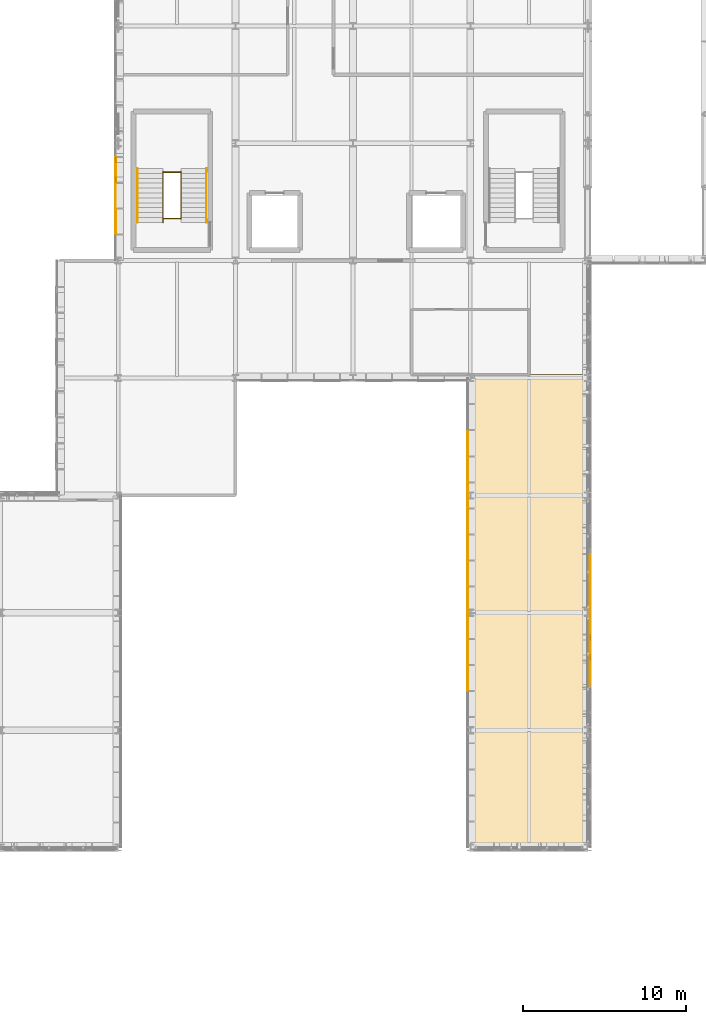
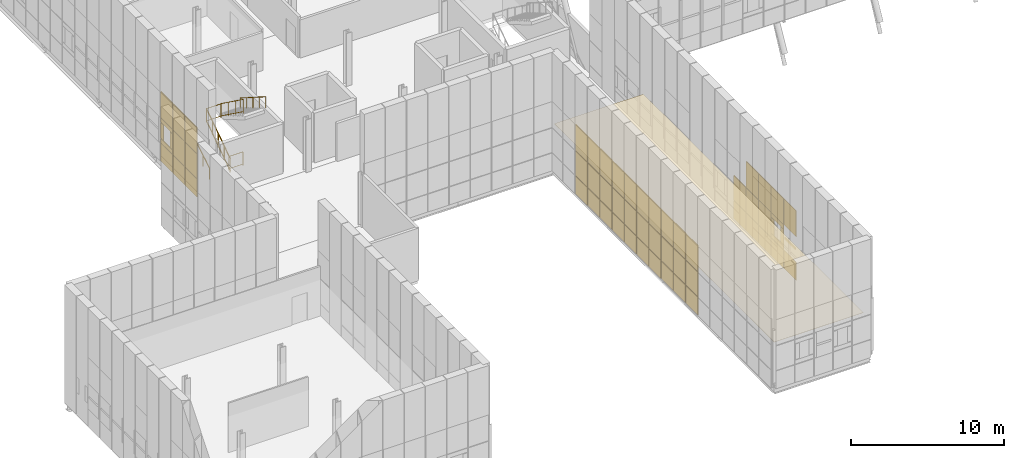
# One storey, part 130 of 144: 60 coverings, 6 railings.
"""IFC4 building model written with IfcOpenShell, lengths in metres."""

from ifc_helpers import new_model, si_unit, direction, frame, origin, origin_2d, place, context, subcontext, project, spatial, polyline, rectangle, circle, outline, extrude, material, layer, layer_set, type_object, element, save


model = new_model("IFC4")

# Units and contexts
model_context = context("Model", 3, precision=1e-05, world=origin(), true_north=direction((0.0, 1.0)))
body_context = subcontext(model_context, "Body", "Model", "MODEL_VIEW")
ifc_project = project(units=[si_unit("LENGTHUNIT", "METRE"), si_unit("AREAUNIT", "SQUARE_METRE"), si_unit("VOLUMEUNIT", "CUBIC_METRE"), si_unit("PLANEANGLEUNIT", "RADIAN"), si_unit("MASSUNIT", "GRAM", prefix="KILO")], contexts=[model_context])

# Site, building, storey
site_placement = place(None, origin())
site = spatial("IfcSite", under=ifc_project, at=site_placement, CompositionType="ELEMENT")
building_placement = place(site_placement, origin())
building = spatial("IfcBuilding", under=site, at=building_placement, Name="Yarey Park Central Fire Station", CompositionType="ELEMENT")
storey_placement = place(building_placement, frame((0.0, 0.0, 10.199951171875)))
storey = spatial("IfcBuildingStorey", under=building, at=storey_placement, Name="L03", CompositionType="ELEMENT", Elevation=10.199951171875)

# Coverings
ifc_material_1 = material(Name="Perforated Powder-Coated Aluminium Cladding", Category="aluminium")
ifc_layer_1 = layer(ifc_material_1, 0.0419921875)
ifc_layer_set_1 = layer_set([ifc_layer_1], Name="Perforated Powder-Coated Aluminium Cladding")
covering_type_1 = type_object("IfcCoveringType", Name="ENV_COV_PERF_1", PredefinedType="CLADDING", material=ifc_layer_set_1)
covering_1_placement = place(storey_placement, frame((57.760009765625, 32.236328125, -0.5048828125), z_axis=(0.0, 0.0, 1.0), x_axis=(0.0, 1.0, 0.0)))
element("IfcCovering", 1, at=covering_1_placement, inside=storey, type_object=covering_type_1, Name="PERF_L03_0352", PredefinedType="CLADDING", context=body_context, shape_type="SweptSolid", body=[
    extrude(rectangle(XDim=1.596435546875, YDim=0.0419921875, at=origin_2d()), origin(), (0.0, 0.0, 1.0), 1.43994140625),
])
covering_2_placement = place(storey_placement, frame((57.760009765625, 32.236328125, 1.8701171875), z_axis=(0.0, 0.0, 1.0), x_axis=(0.0, 1.0, 0.0)))
element("IfcCovering", 2, at=covering_2_placement, inside=storey, type_object=covering_type_1, Name="PERF_L03_0354", PredefinedType="CLADDING", context=body_context, shape_type="SweptSolid", body=[
    extrude(rectangle(XDim=1.396484375, YDim=0.0419921875, at=origin_2d()), origin(), (0.0, 0.0, 1.0), 0.159912109375),
])
covering_3_placement = place(storey_placement, frame((57.760009765625, 32.236328125, 2.96484375), z_axis=(0.0, 0.0, 1.0), x_axis=(0.0, 1.0, 0.0)))
element("IfcCovering", 3, at=covering_3_placement, inside=storey, type_object=covering_type_1, Name="PERF_L03_0355", PredefinedType="CLADDING", context=body_context, shape_type="SweptSolid", body=[
    extrude(rectangle(XDim=1.596435546875, YDim=0.0419921875, at=origin_2d()), origin(), (0.0, 0.0, 1.0), 2.070068359375),
])
covering_4_placement = place(storey_placement, frame((57.760009765625, 35.509033203125, -0.5048828125), z_axis=(0.0, 0.0, 1.0), x_axis=(0.0, 1.0, 0.0)))
element("IfcCovering", 4, at=covering_4_placement, inside=storey, type_object=covering_type_1, Name="PERF_L03_0370", PredefinedType="CLADDING", context=body_context, shape_type="SweptSolid", body=[
    extrude(rectangle(XDim=1.596435546875, YDim=0.0419921875, at=origin_2d()), origin(), (0.0, 0.0, 1.0), 1.43994140625),
])
covering_5_placement = place(storey_placement, frame((57.760009765625, 35.509033203125, 0.96484375), z_axis=(0.0, 0.0, 1.0), x_axis=(0.0, 1.0, 0.0)))
element("IfcCovering", 5, at=covering_5_placement, inside=storey, type_object=covering_type_1, Name="PERF_L03_0371", PredefinedType="CLADDING", context=body_context, shape_type="SweptSolid", body=[
    extrude(rectangle(XDim=1.596435546875, YDim=0.0419921875, at=origin_2d()), origin(), (0.0, 0.0, 1.0), 1.969970703125),
])
covering_6_placement = place(storey_placement, frame((57.760009765625, 35.509033203125, 2.96484375), z_axis=(0.0, 0.0, 1.0), x_axis=(0.0, 1.0, 0.0)))
element("IfcCovering", 6, at=covering_6_placement, inside=storey, type_object=covering_type_1, Name="PERF_L03_0372", PredefinedType="CLADDING", context=body_context, shape_type="SweptSolid", body=[
    extrude(rectangle(XDim=1.596435546875, YDim=0.0419921875, at=origin_2d()), origin(), (0.0, 0.0, 1.0), 2.070068359375),
])
covering_7_placement = place(storey_placement, frame((57.760009765625, 38.78173828125, -0.5048828125), z_axis=(0.0, 0.0, 1.0), x_axis=(0.0, 1.0, 0.0)))
element("IfcCovering", 7, at=covering_7_placement, inside=storey, type_object=covering_type_1, Name="PERF_L03_0380", PredefinedType="CLADDING", context=body_context, shape_type="SweptSolid", body=[
    extrude(rectangle(XDim=1.596435546875, YDim=0.0419921875, at=origin_2d()), origin(), (0.0, 0.0, 1.0), 1.43994140625),
])
covering_8_placement = place(storey_placement, frame((57.760009765625, 38.78173828125, 0.96484375), z_axis=(0.0, 0.0, 1.0), x_axis=(0.0, 1.0, 0.0)))
element("IfcCovering", 8, at=covering_8_placement, inside=storey, type_object=covering_type_1, Name="PERF_L03_0381", PredefinedType="CLADDING", context=body_context, shape_type="SweptSolid", body=[
    extrude(rectangle(XDim=1.596435546875, YDim=0.0419921875, at=origin_2d()), origin(), (0.0, 0.0, 1.0), 1.969970703125),
])
covering_9_placement = place(storey_placement, frame((28.639892578125, 61.580810546875, -0.5048828125), z_axis=(0.0, 0.0, 1.0), x_axis=(0.0, 1.0, 0.0)))
element("IfcCovering", 9, at=covering_9_placement, inside=storey, type_object=covering_type_1, Name="PERF_L03_0611", PredefinedType="CLADDING", context=body_context, shape_type="SweptSolid", body=[
    extrude(rectangle(XDim=1.55224609375, YDim=0.0419921875, at=origin_2d()), origin(), (0.0, 0.0, 1.0), 1.43994140625),
])
covering_10_placement = place(storey_placement, frame((28.639892578125, 61.580810546875, 0.96484375), z_axis=(0.0, 0.0, 1.0), x_axis=(0.0, 1.0, 0.0)))
element("IfcCovering", 10, at=covering_10_placement, inside=storey, type_object=covering_type_1, Name="PERF_L03_0612", PredefinedType="CLADDING", context=body_context, shape_type="SweptSolid", body=[
    extrude(rectangle(XDim=1.55224609375, YDim=0.0419921875, at=origin_2d()), origin(), (0.0, 0.0, 1.0), 1.969970703125),
])
covering_11_placement = place(storey_placement, frame((28.639892578125, 61.580810546875, 2.96484375), z_axis=(0.0, 0.0, 1.0), x_axis=(0.0, 1.0, 0.0)))
element("IfcCovering", 11, at=covering_11_placement, inside=storey, type_object=covering_type_1, Name="PERF_L03_0613", PredefinedType="CLADDING", context=body_context, shape_type="SweptSolid", body=[
    extrude(rectangle(XDim=1.55224609375, YDim=0.0419921875, at=origin_2d()), origin(), (0.0, 0.0, 1.0), 2.070068359375),
])
covering_12_placement = place(storey_placement, frame((50.239990234375, 32.0, -0.5048828125), z_axis=(0.0, 0.0, 1.0), x_axis=(0.0, 1.0, 0.0)))
element("IfcCovering", 12, at=covering_12_placement, inside=storey, type_object=covering_type_1, Name="PERF_L03_1017", PredefinedType="CLADDING", context=body_context, shape_type="SweptSolid", body=[
    extrude(rectangle(XDim=1.56005859375, YDim=0.0419921875, at=origin_2d()), origin(), (0.0, 0.0, 1.0), 1.43994140625),
])
covering_13_placement = place(storey_placement, frame((50.239990234375, 32.0, 0.96484375), z_axis=(0.0, 0.0, 1.0), x_axis=(0.0, 1.0, 0.0)))
element("IfcCovering", 13, at=covering_13_placement, inside=storey, type_object=covering_type_1, Name="PERF_L03_1018", PredefinedType="CLADDING", context=body_context, shape_type="SweptSolid", body=[
    extrude(rectangle(XDim=1.56005859375, YDim=0.0419921875, at=origin_2d()), origin(), (0.0, 0.0, 1.0), 1.969970703125),
])
covering_14_placement = place(storey_placement, frame((50.239990234375, 32.0, 2.96484375), z_axis=(0.0, 0.0, 1.0), x_axis=(0.0, 1.0, 0.0)))
element("IfcCovering", 14, at=covering_14_placement, inside=storey, type_object=covering_type_1, Name="PERF_L03_1019", PredefinedType="CLADDING", context=body_context, shape_type="SweptSolid", body=[
    extrude(rectangle(XDim=1.56005859375, YDim=0.0419921875, at=origin_2d()), origin(), (0.0, 0.0, 1.0), 2.070068359375),
])
covering_15_placement = place(storey_placement, frame((50.239990234375, 35.199951171875, -0.5048828125), z_axis=(0.0, 0.0, 1.0), x_axis=(0.0, 1.0, 0.0)))
element("IfcCovering", 15, at=covering_15_placement, inside=storey, type_object=covering_type_1, Name="PERF_L03_1027", PredefinedType="CLADDING", context=body_context, shape_type="SweptSolid", body=[
    extrude(rectangle(XDim=1.56005859375, YDim=0.0419921875, at=origin_2d()), origin(), (0.0, 0.0, 1.0), 1.43994140625),
])
covering_16_placement = place(storey_placement, frame((50.239990234375, 35.199951171875, 0.96484375), z_axis=(0.0, 0.0, 1.0), x_axis=(0.0, 1.0, 0.0)))
element("IfcCovering", 16, at=covering_16_placement, inside=storey, type_object=covering_type_1, Name="PERF_L03_1028", PredefinedType="CLADDING", context=body_context, shape_type="SweptSolid", body=[
    extrude(rectangle(XDim=1.56005859375, YDim=0.0419921875, at=origin_2d()), origin(), (0.0, 0.0, 1.0), 1.969970703125),
])
covering_17_placement = place(storey_placement, frame((50.239990234375, 35.199951171875, 2.96484375), z_axis=(0.0, 0.0, 1.0), x_axis=(0.0, 1.0, 0.0)))
element("IfcCovering", 17, at=covering_17_placement, inside=storey, type_object=covering_type_1, Name="PERF_L03_1029", PredefinedType="CLADDING", context=body_context, shape_type="SweptSolid", body=[
    extrude(rectangle(XDim=1.56005859375, YDim=0.0419921875, at=origin_2d()), origin(), (0.0, 0.0, 1.0), 2.070068359375),
])
covering_18_placement = place(storey_placement, frame((50.239990234375, 38.39990234375, -0.5048828125), z_axis=(0.0, 0.0, 1.0), x_axis=(0.0, 1.0, 0.0)))
element("IfcCovering", 18, at=covering_18_placement, inside=storey, type_object=covering_type_1, Name="PERF_L03_1037", PredefinedType="CLADDING", context=body_context, shape_type="SweptSolid", body=[
    extrude(rectangle(XDim=1.56005859375, YDim=0.0419921875, at=origin_2d()), origin(), (0.0, 0.0, 1.0), 1.43994140625),
])
covering_19_placement = place(storey_placement, frame((50.239990234375, 38.39990234375, 0.96484375), z_axis=(0.0, 0.0, 1.0), x_axis=(0.0, 1.0, 0.0)))
element("IfcCovering", 19, at=covering_19_placement, inside=storey, type_object=covering_type_1, Name="PERF_L03_1038", PredefinedType="CLADDING", context=body_context, shape_type="SweptSolid", body=[
    extrude(rectangle(XDim=1.56005859375, YDim=0.0419921875, at=origin_2d()), origin(), (0.0, 0.0, 1.0), 1.969970703125),
])
covering_20_placement = place(storey_placement, frame((50.239990234375, 38.39990234375, 2.96484375), z_axis=(0.0, 0.0, 1.0), x_axis=(0.0, 1.0, 0.0)))
element("IfcCovering", 20, at=covering_20_placement, inside=storey, type_object=covering_type_1, Name="PERF_L03_1039", PredefinedType="CLADDING", context=body_context, shape_type="SweptSolid", body=[
    extrude(rectangle(XDim=1.56005859375, YDim=0.0419921875, at=origin_2d()), origin(), (0.0, 0.0, 1.0), 2.070068359375),
])
covering_21_placement = place(storey_placement, frame((50.239990234375, 41.60009765625, -0.5048828125), z_axis=(0.0, 0.0, 1.0), x_axis=(0.0, 1.0, 0.0)))
element("IfcCovering", 21, at=covering_21_placement, inside=storey, type_object=covering_type_1, Name="PERF_L03_1047", PredefinedType="CLADDING", context=body_context, shape_type="SweptSolid", body=[
    extrude(rectangle(XDim=1.56005859375, YDim=0.0419921875, at=origin_2d()), origin(), (0.0, 0.0, 1.0), 1.43994140625),
])
covering_22_placement = place(storey_placement, frame((50.239990234375, 41.60009765625, 0.96484375), z_axis=(0.0, 0.0, 1.0), x_axis=(0.0, 1.0, 0.0)))
element("IfcCovering", 22, at=covering_22_placement, inside=storey, type_object=covering_type_1, Name="PERF_L03_1048", PredefinedType="CLADDING", context=body_context, shape_type="SweptSolid", body=[
    extrude(rectangle(XDim=1.56005859375, YDim=0.0419921875, at=origin_2d()), origin(), (0.0, 0.0, 1.0), 1.969970703125),
])
covering_23_placement = place(storey_placement, frame((50.239990234375, 41.60009765625, 2.96484375), z_axis=(0.0, 0.0, 1.0), x_axis=(0.0, 1.0, 0.0)))
element("IfcCovering", 23, at=covering_23_placement, inside=storey, type_object=covering_type_1, Name="PERF_L03_1049", PredefinedType="CLADDING", context=body_context, shape_type="SweptSolid", body=[
    extrude(rectangle(XDim=1.56005859375, YDim=0.0419921875, at=origin_2d()), origin(), (0.0, 0.0, 1.0), 2.070068359375),
])
covering_24_placement = place(storey_placement, frame((50.239990234375, 44.800048828125, -0.5048828125), z_axis=(0.0, 0.0, 1.0), x_axis=(0.0, 1.0, 0.0)))
element("IfcCovering", 24, at=covering_24_placement, inside=storey, type_object=covering_type_1, Name="PERF_L03_1057", PredefinedType="CLADDING", context=body_context, shape_type="SweptSolid", body=[
    extrude(rectangle(XDim=1.56005859375, YDim=0.0419921875, at=origin_2d()), origin(), (0.0, 0.0, 1.0), 1.43994140625),
])
covering_25_placement = place(storey_placement, frame((50.239990234375, 44.800048828125, 0.96484375), z_axis=(0.0, 0.0, 1.0), x_axis=(0.0, 1.0, 0.0)))
element("IfcCovering", 25, at=covering_25_placement, inside=storey, type_object=covering_type_1, Name="PERF_L03_1058", PredefinedType="CLADDING", context=body_context, shape_type="SweptSolid", body=[
    extrude(rectangle(XDim=1.56005859375, YDim=0.0419921875, at=origin_2d()), origin(), (0.0, 0.0, 1.0), 1.969970703125),
])
covering_26_placement = place(storey_placement, frame((50.239990234375, 44.800048828125, 2.96484375), z_axis=(0.0, 0.0, 1.0), x_axis=(0.0, 1.0, 0.0)))
element("IfcCovering", 26, at=covering_26_placement, inside=storey, type_object=covering_type_1, Name="PERF_L03_1059", PredefinedType="CLADDING", context=body_context, shape_type="SweptSolid", body=[
    extrude(rectangle(XDim=1.56005859375, YDim=0.0419921875, at=origin_2d()), origin(), (0.0, 0.0, 1.0), 2.070068359375),
])
ifc_layer_2 = layer(ifc_material_1, 0.053955078125)
ifc_layer_set_2 = layer_set([ifc_layer_2], Name="Perforated Powder-Coated Aluminium Cladding")
covering_type_2 = type_object("IfcCoveringType", Name="ENV_COV_PERF_2", PredefinedType="CLADDING", material=ifc_layer_set_2)
covering_27_placement = place(storey_placement, frame((57.760009765625, 33.872802734375, -0.5048828125), z_axis=(0.0, 0.0, 1.0), x_axis=(0.0, 1.0, 0.0)))
element("IfcCovering", 27, at=covering_27_placement, inside=storey, type_object=covering_type_2, Name="PERF_L03_0359", PredefinedType="CLADDING", context=body_context, shape_type="SweptSolid", body=[
    extrude(rectangle(XDim=1.596435546875, YDim=0.053955078125, at=origin_2d()), origin(), (0.0, 0.0, 1.0), 1.43994140625),
])
for number, where, z_axis, x_axis, name in (
    (28, (57.760009765625, 33.872802734375, 0.9599609375), (0.0, 0.0, 1.0), (0.0, 1.0, 0.0), "PERF_L03_0360"),
    (29, (57.760009765625, 33.872802734375, 2.60009765625), (0.0, 0.0, 1.0), (0.0, 1.0, 0.0), "PERF_L03_0361"),
):
    element("IfcCovering", number, at=place(storey_placement, frame(where, z_axis=z_axis, x_axis=x_axis)), inside=storey, type_object=covering_type_2, Name=name, PredefinedType="CLADDING", context=body_context, shape_type="SweptSolid", body=[
        extrude(rectangle(XDim=1.596435546875, YDim=0.053955078125, at=origin_2d()), origin(), (0.0, 0.0, 1.0), 0.340087890625),
    ])
for number, where, z_axis, x_axis, name in (
    (30, (57.760009765625, 33.25439453125, 1.324951171875), (0.0, 0.0, 1.0), (0.0, 1.0, 0.0), "PERF_L03_0362"),
    (31, (57.760009765625, 34.490966796875, 1.324951171875), (0.0, 0.0, 1.0), (0.0, 1.0, 0.0), "PERF_L03_0363"),
):
    element("IfcCovering", number, at=place(storey_placement, frame(where, z_axis=z_axis, x_axis=x_axis)), inside=storey, type_object=covering_type_2, Name=name, PredefinedType="CLADDING", context=body_context, shape_type="SweptSolid", body=[
        extrude(rectangle(XDim=0.340087890625, YDim=0.053955078125, at=origin_2d()), origin(), (0.0, 0.0, 1.0), 1.25),
    ])
covering_28_placement = place(storey_placement, frame((57.760009765625, 33.872802734375, 2.96484375), z_axis=(0.0, 0.0, 1.0), x_axis=(0.0, 1.0, 0.0)))
element("IfcCovering", 32, at=covering_28_placement, inside=storey, type_object=covering_type_2, Name="PERF_L03_0364", PredefinedType="CLADDING", context=body_context, shape_type="SweptSolid", body=[
    extrude(rectangle(XDim=1.596435546875, YDim=0.053955078125, at=origin_2d()), origin(), (0.0, 0.0, 1.0), 2.070068359375),
])
covering_29_placement = place(storey_placement, frame((57.760009765625, 37.1455078125, -0.5048828125), z_axis=(0.0, 0.0, 1.0), x_axis=(0.0, 1.0, 0.0)))
element("IfcCovering", 33, at=covering_29_placement, inside=storey, type_object=covering_type_2, Name="PERF_L03_0375", PredefinedType="CLADDING", context=body_context, shape_type="SweptSolid", body=[
    extrude(rectangle(XDim=1.596435546875, YDim=0.053955078125, at=origin_2d()), origin(), (0.0, 0.0, 1.0), 1.43994140625),
])
covering_30_placement = place(storey_placement, frame((57.760009765625, 37.1455078125, 0.96484375), z_axis=(0.0, 0.0, 1.0), x_axis=(0.0, 1.0, 0.0)))
element("IfcCovering", 34, at=covering_30_placement, inside=storey, type_object=covering_type_2, Name="PERF_L03_0376", PredefinedType="CLADDING", context=body_context, shape_type="SweptSolid", body=[
    extrude(rectangle(XDim=1.596435546875, YDim=0.053955078125, at=origin_2d()), origin(), (0.0, 0.0, 1.0), 1.969970703125),
])
covering_31_placement = place(storey_placement, frame((57.760009765625, 37.1455078125, 2.96484375), z_axis=(0.0, 0.0, 1.0), x_axis=(0.0, 1.0, 0.0)))
element("IfcCovering", 35, at=covering_31_placement, inside=storey, type_object=covering_type_2, Name="PERF_L03_0377", PredefinedType="CLADDING", context=body_context, shape_type="SweptSolid", body=[
    extrude(rectangle(XDim=1.596435546875, YDim=0.053955078125, at=origin_2d()), origin(), (0.0, 0.0, 1.0), 2.070068359375),
])
covering_32_placement = place(storey_placement, frame((28.639892578125, 59.988525390625, -0.5048828125), z_axis=(0.0, 0.0, 1.0), x_axis=(0.0, 1.0, 0.0)))
element("IfcCovering", 36, at=covering_32_placement, inside=storey, type_object=covering_type_2, Name="PERF_L03_0606", PredefinedType="CLADDING", context=body_context, shape_type="SweptSolid", body=[
    extrude(rectangle(XDim=1.55224609375, YDim=0.053955078125, at=origin_2d()), origin(), (0.0, 0.0, 1.0), 1.43994140625),
])
covering_33_placement = place(storey_placement, frame((28.639892578125, 59.988525390625, 0.96484375), z_axis=(0.0, 0.0, 1.0), x_axis=(0.0, 1.0, 0.0)))
element("IfcCovering", 37, at=covering_33_placement, inside=storey, type_object=covering_type_2, Name="PERF_L03_0607", PredefinedType="CLADDING", context=body_context, shape_type="SweptSolid", body=[
    extrude(rectangle(XDim=1.55224609375, YDim=0.053955078125, at=origin_2d()), origin(), (0.0, 0.0, 1.0), 1.969970703125),
])
covering_34_placement = place(storey_placement, frame((28.639892578125, 59.988525390625, 2.96484375), z_axis=(0.0, 0.0, 1.0), x_axis=(0.0, 1.0, 0.0)))
element("IfcCovering", 38, at=covering_34_placement, inside=storey, type_object=covering_type_2, Name="PERF_L03_0608", PredefinedType="CLADDING", context=body_context, shape_type="SweptSolid", body=[
    extrude(rectangle(XDim=1.55224609375, YDim=0.053955078125, at=origin_2d()), origin(), (0.0, 0.0, 1.0), 2.070068359375),
])
covering_35_placement = place(storey_placement, frame((28.639892578125, 63.173095703125, -0.5048828125), z_axis=(0.0, 0.0, 1.0), x_axis=(0.0, 1.0, 0.0)))
element("IfcCovering", 39, at=covering_35_placement, inside=storey, type_object=covering_type_2, Name="PERF_L03_0616", PredefinedType="CLADDING", context=body_context, shape_type="SweptSolid", body=[
    extrude(rectangle(XDim=1.55224609375, YDim=0.053955078125, at=origin_2d()), origin(), (0.0, 0.0, 1.0), 1.43994140625),
])
for number, where, z_axis, x_axis, name in (
    (40, (28.639892578125, 63.173095703125, 0.9599609375), (0.0, 0.0, 1.0), (0.0, 1.0, 0.0), "PERF_L03_0617"),
    (41, (28.639892578125, 63.173095703125, 2.60009765625), (0.0, 0.0, 1.0), (0.0, 1.0, 0.0), "PERF_L03_0618"),
):
    element("IfcCovering", number, at=place(storey_placement, frame(where, z_axis=z_axis, x_axis=x_axis)), inside=storey, type_object=covering_type_2, Name=name, PredefinedType="CLADDING", context=body_context, shape_type="SweptSolid", body=[
        extrude(rectangle(XDim=1.55224609375, YDim=0.053955078125, at=origin_2d()), origin(), (0.0, 0.0, 1.0), 0.340087890625),
    ])
for number, where, z_axis, x_axis, name in (
    (42, (28.639892578125, 62.576904296875, 1.324951171875), (0.0, 0.0, 1.0), (0.0, 1.0, 0.0), "PERF_L03_0619"),
    (43, (28.639892578125, 63.769287109375, 1.324951171875), (0.0, 0.0, 1.0), (0.0, 1.0, 0.0), "PERF_L03_0620"),
):
    element("IfcCovering", number, at=place(storey_placement, frame(where, z_axis=z_axis, x_axis=x_axis)), inside=storey, type_object=covering_type_2, Name=name, PredefinedType="CLADDING", context=body_context, shape_type="SweptSolid", body=[
        extrude(rectangle(XDim=0.340087890625, YDim=0.053955078125, at=origin_2d()), origin(), (0.0, 0.0, 1.0), 1.25),
    ])
covering_36_placement = place(storey_placement, frame((28.639892578125, 63.173095703125, 2.96484375), z_axis=(0.0, 0.0, 1.0), x_axis=(0.0, 1.0, 0.0)))
element("IfcCovering", 44, at=covering_36_placement, inside=storey, type_object=covering_type_2, Name="PERF_L03_0621", PredefinedType="CLADDING", context=body_context, shape_type="SweptSolid", body=[
    extrude(rectangle(XDim=1.55224609375, YDim=0.053955078125, at=origin_2d()), origin(), (0.0, 0.0, 1.0), 2.070068359375),
])
covering_37_placement = place(storey_placement, frame((50.239990234375, 33.60009765625, -0.5048828125), z_axis=(0.0, 0.0, 1.0), x_axis=(0.0, 1.0, 0.0)))
element("IfcCovering", 45, at=covering_37_placement, inside=storey, type_object=covering_type_2, Name="PERF_L03_1022", PredefinedType="CLADDING", context=body_context, shape_type="SweptSolid", body=[
    extrude(rectangle(XDim=1.56005859375, YDim=0.053955078125, at=origin_2d()), origin(), (0.0, 0.0, 1.0), 1.43994140625),
])
covering_38_placement = place(storey_placement, frame((50.239990234375, 33.60009765625, 0.96484375), z_axis=(0.0, 0.0, 1.0), x_axis=(0.0, 1.0, 0.0)))
element("IfcCovering", 46, at=covering_38_placement, inside=storey, type_object=covering_type_2, Name="PERF_L03_1023", PredefinedType="CLADDING", context=body_context, shape_type="SweptSolid", body=[
    extrude(rectangle(XDim=1.56005859375, YDim=0.053955078125, at=origin_2d()), origin(), (0.0, 0.0, 1.0), 1.969970703125),
])
covering_39_placement = place(storey_placement, frame((50.239990234375, 33.60009765625, 2.96484375), z_axis=(0.0, 0.0, 1.0), x_axis=(0.0, 1.0, 0.0)))
element("IfcCovering", 47, at=covering_39_placement, inside=storey, type_object=covering_type_2, Name="PERF_L03_1024", PredefinedType="CLADDING", context=body_context, shape_type="SweptSolid", body=[
    extrude(rectangle(XDim=1.56005859375, YDim=0.053955078125, at=origin_2d()), origin(), (0.0, 0.0, 1.0), 2.070068359375),
])
covering_40_placement = place(storey_placement, frame((50.239990234375, 36.800048828125, -0.5048828125), z_axis=(0.0, 0.0, 1.0), x_axis=(0.0, 1.0, 0.0)))
element("IfcCovering", 48, at=covering_40_placement, inside=storey, type_object=covering_type_2, Name="PERF_L03_1032", PredefinedType="CLADDING", context=body_context, shape_type="SweptSolid", body=[
    extrude(rectangle(XDim=1.56005859375, YDim=0.053955078125, at=origin_2d()), origin(), (0.0, 0.0, 1.0), 1.43994140625),
])
covering_41_placement = place(storey_placement, frame((50.239990234375, 36.800048828125, 0.96484375), z_axis=(0.0, 0.0, 1.0), x_axis=(0.0, 1.0, 0.0)))
element("IfcCovering", 49, at=covering_41_placement, inside=storey, type_object=covering_type_2, Name="PERF_L03_1033", PredefinedType="CLADDING", context=body_context, shape_type="SweptSolid", body=[
    extrude(rectangle(XDim=1.56005859375, YDim=0.053955078125, at=origin_2d()), origin(), (0.0, 0.0, 1.0), 1.969970703125),
])
covering_42_placement = place(storey_placement, frame((50.239990234375, 36.800048828125, 2.96484375), z_axis=(0.0, 0.0, 1.0), x_axis=(0.0, 1.0, 0.0)))
element("IfcCovering", 50, at=covering_42_placement, inside=storey, type_object=covering_type_2, Name="PERF_L03_1034", PredefinedType="CLADDING", context=body_context, shape_type="SweptSolid", body=[
    extrude(rectangle(XDim=1.56005859375, YDim=0.053955078125, at=origin_2d()), origin(), (0.0, 0.0, 1.0), 2.070068359375),
])
covering_43_placement = place(storey_placement, frame((50.239990234375, 40.0, -0.5048828125), z_axis=(0.0, 0.0, 1.0), x_axis=(0.0, 1.0, 0.0)))
element("IfcCovering", 51, at=covering_43_placement, inside=storey, type_object=covering_type_2, Name="PERF_L03_1042", PredefinedType="CLADDING", context=body_context, shape_type="SweptSolid", body=[
    extrude(rectangle(XDim=1.56005859375, YDim=0.053955078125, at=origin_2d()), origin(), (0.0, 0.0, 1.0), 1.43994140625),
])
covering_44_placement = place(storey_placement, frame((50.239990234375, 40.0, 0.96484375), z_axis=(0.0, 0.0, 1.0), x_axis=(0.0, 1.0, 0.0)))
element("IfcCovering", 52, at=covering_44_placement, inside=storey, type_object=covering_type_2, Name="PERF_L03_1043", PredefinedType="CLADDING", context=body_context, shape_type="SweptSolid", body=[
    extrude(rectangle(XDim=1.56005859375, YDim=0.053955078125, at=origin_2d()), origin(), (0.0, 0.0, 1.0), 1.969970703125),
])
covering_45_placement = place(storey_placement, frame((50.239990234375, 40.0, 2.96484375), z_axis=(0.0, 0.0, 1.0), x_axis=(0.0, 1.0, 0.0)))
element("IfcCovering", 53, at=covering_45_placement, inside=storey, type_object=covering_type_2, Name="PERF_L03_1044", PredefinedType="CLADDING", context=body_context, shape_type="SweptSolid", body=[
    extrude(rectangle(XDim=1.56005859375, YDim=0.053955078125, at=origin_2d()), origin(), (0.0, 0.0, 1.0), 2.070068359375),
])
covering_46_placement = place(storey_placement, frame((50.239990234375, 43.199951171875, -0.5048828125), z_axis=(0.0, 0.0, 1.0), x_axis=(0.0, 1.0, 0.0)))
element("IfcCovering", 54, at=covering_46_placement, inside=storey, type_object=covering_type_2, Name="PERF_L03_1052", PredefinedType="CLADDING", context=body_context, shape_type="SweptSolid", body=[
    extrude(rectangle(XDim=1.56005859375, YDim=0.053955078125, at=origin_2d()), origin(), (0.0, 0.0, 1.0), 1.43994140625),
])
covering_47_placement = place(storey_placement, frame((50.239990234375, 43.199951171875, 0.96484375), z_axis=(0.0, 0.0, 1.0), x_axis=(0.0, 1.0, 0.0)))
element("IfcCovering", 55, at=covering_47_placement, inside=storey, type_object=covering_type_2, Name="PERF_L03_1053", PredefinedType="CLADDING", context=body_context, shape_type="SweptSolid", body=[
    extrude(rectangle(XDim=1.56005859375, YDim=0.053955078125, at=origin_2d()), origin(), (0.0, 0.0, 1.0), 1.969970703125),
])
covering_48_placement = place(storey_placement, frame((50.239990234375, 43.199951171875, 2.96484375), z_axis=(0.0, 0.0, 1.0), x_axis=(0.0, 1.0, 0.0)))
element("IfcCovering", 56, at=covering_48_placement, inside=storey, type_object=covering_type_2, Name="PERF_L03_1054", PredefinedType="CLADDING", context=body_context, shape_type="SweptSolid", body=[
    extrude(rectangle(XDim=1.56005859375, YDim=0.053955078125, at=origin_2d()), origin(), (0.0, 0.0, 1.0), 2.070068359375),
])
covering_49_placement = place(storey_placement, frame((50.239990234375, 46.39990234375, -0.5048828125), z_axis=(0.0, 0.0, 1.0), x_axis=(0.0, 1.0, 0.0)))
element("IfcCovering", 57, at=covering_49_placement, inside=storey, type_object=covering_type_2, Name="PERF_L03_1062", PredefinedType="CLADDING", context=body_context, shape_type="SweptSolid", body=[
    extrude(rectangle(XDim=1.56005859375, YDim=0.053955078125, at=origin_2d()), origin(), (0.0, 0.0, 1.0), 1.43994140625),
])
covering_50_placement = place(storey_placement, frame((50.239990234375, 46.39990234375, 0.96484375), z_axis=(0.0, 0.0, 1.0), x_axis=(0.0, 1.0, 0.0)))
element("IfcCovering", 58, at=covering_50_placement, inside=storey, type_object=covering_type_2, Name="PERF_L03_1063", PredefinedType="CLADDING", context=body_context, shape_type="SweptSolid", body=[
    extrude(rectangle(XDim=1.56005859375, YDim=0.053955078125, at=origin_2d()), origin(), (0.0, 0.0, 1.0), 1.969970703125),
])
covering_51_placement = place(storey_placement, frame((50.239990234375, 46.39990234375, 2.96484375), z_axis=(0.0, 0.0, 1.0), x_axis=(0.0, 1.0, 0.0)))
element("IfcCovering", 59, at=covering_51_placement, inside=storey, type_object=covering_type_2, Name="PERF_L03_1064", PredefinedType="CLADDING", context=body_context, shape_type="SweptSolid", body=[
    extrude(rectangle(XDim=1.56005859375, YDim=0.053955078125, at=origin_2d()), origin(), (0.0, 0.0, 1.0), 2.070068359375),
])
ifc_material_2 = material(Name="Acoustic Mineral Fibre Tile", Category="finish")
ifc_layer_3 = layer(ifc_material_2, 0.02001953125)
ifc_layer_set_3 = layer_set([ifc_layer_3], Name="Acoustic Mineral Fibre Tile")
covering_type_3 = type_object("IfcCoveringType", Name="INT_CEIL_ACT_1", PredefinedType="CEILING", material=ifc_layer_set_3)
covering_52_placement = place(storey_placement, frame((0.0, 0.0, 2.85009765625)))
element("IfcCovering", 60, at=covering_52_placement, inside=storey, type_object=covering_type_3, Name="CEIL_SPC_L03_CLASS2", PredefinedType="CEILING", context=body_context, shape_type="SweptSolid", body=[
    extrude(outline(polyline([(50.590087890625, 21.889892578125), (57.31005859375, 21.889892578125), (57.31005859375, 50.610107421875), (50.590087890625, 50.610107421875), (50.590087890625, 21.889892578125)])), origin(), (0.0, 0.0, 1.0), 0.02001953125),
])

# Railings
ifc_material_3 = material(Name="Galvanized Steel Balustrade", Category="steel")
railing_type_1 = type_object("IfcRailingType", Name="INT_RAIL_GUARD112", PredefinedType="BALUSTRADE", material=ifc_material_3)
railing_1_placement = place(storey_placement, frame((31.550048828125, 59.949951171875, 0.0)))
element("IfcRailing", 61, at=railing_1_placement, inside=storey, type_object=railing_type_1, Name="GRD_C3_L03_F1", PredefinedType="BALUSTRADE", context=body_context, shape_type="SweptSolid", body=[
    extrude(circle(Radius=0.02392578125, at=origin_2d()), frame((0.0, 0.0, 1.09619140625), z_axis=(0.0, 0.827914784024, 0.560853911811), x_axis=(-1.0, 0.0, 0.0)), (0.0, 0.0, 1.0), 3.744384765625),
    extrude(circle(Radius=0.02392578125, at=origin_2d()), frame((0.0, 0.0, 0.1201171875), z_axis=(0.0, 0.827914784024, 0.560853911811), x_axis=(-1.0, 0.0, 0.0)), (0.0, 0.0, 1.0), 3.744384765625),
    extrude(circle(Radius=0.02099609375, at=origin_2d()), origin(), (0.0, 0.0, 1.0), 1.072021484375),
    extrude(circle(Radius=0.02099609375, at=origin_2d()), frame((0.0, 0.77490234375, 0.52490234375)), (0.0, 0.0, 1.0), 1.072021484375),
    extrude(circle(Radius=0.02099609375, at=origin_2d()), frame((0.0, 1.550048828125, 1.050048828125)), (0.0, 0.0, 1.0), 1.072021484375),
    extrude(circle(Radius=0.02099609375, at=origin_2d()), frame((0.0, 2.3251953125, 1.5751953125)), (0.0, 0.0, 1.0), 1.072021484375),
    extrude(circle(Radius=0.02099609375, at=origin_2d()), frame((0.0, 3.10009765625, 2.10009765625)), (0.0, 0.0, 1.0), 1.072021484375),
])
railing_2_placement = place(storey_placement, frame((32.64990234375, 63.050048828125, 2.10009765625)))
element("IfcRailing", 62, at=railing_2_placement, inside=storey, type_object=railing_type_1, Name="GRD_C3_L03_F2", PredefinedType="BALUSTRADE", context=body_context, shape_type="SweptSolid", body=[
    extrude(circle(Radius=0.02392578125, at=origin_2d()), frame((0.0, 0.0, 1.09619140625), z_axis=(0.0, -0.809975627919, 0.586463538659), x_axis=(1.0, 0.0, 0.0)), (0.0, 0.0, 1.0), 3.58056640625),
    extrude(circle(Radius=0.02392578125, at=origin_2d()), frame((0.0, 0.0, 0.1201171875), z_axis=(0.0, -0.809975627919, 0.586463538659), x_axis=(1.0, 0.0, 0.0)), (0.0, 0.0, 1.0), 3.58056640625),
    extrude(circle(Radius=0.02099609375, at=origin_2d()), origin(), (0.0, 0.0, 1.0), 1.072021484375),
    extrude(circle(Radius=0.02099609375, at=origin_2d()), frame((0.0, -0.966796875, 0.699951171875)), (0.0, 0.0, 1.0), 1.072021484375),
    extrude(circle(Radius=0.02099609375, at=origin_2d()), frame((0.0, -1.933349609375, 1.39990234375)), (0.0, 0.0, 1.0), 1.072021484375),
    extrude(circle(Radius=0.02099609375, at=origin_2d()), frame((0.0, -2.900146484375, 2.099853515625)), (0.0, 0.0, 1.0), 1.072021484375),
])
for number, where, name in (
    (63, (31.550048828125, 63.030029296875, 2.10009765625), "GRD_C3_L03_SLOT_MID"),
    (64, (31.550048828125, 60.179931640625, 0.0), "GRD_C3_L03_SLOT_BOT"),
):
    element("IfcRailing", number, at=place(storey_placement, frame(where)), inside=storey, type_object=railing_type_1, Name=name, PredefinedType="BALUSTRADE", context=body_context, shape_type="SweptSolid", body=[
        extrude(circle(Radius=0.02392578125, at=origin_2d()), frame((0.0, 0.0, 1.09619140625), z_axis=(1.0, 0.0, 0.0), x_axis=(0.0, 1.0, 0.0)), (0.0, 0.0, 1.0), 1.099853515625),
        extrude(circle(Radius=0.02392578125, at=origin_2d()), frame((0.0, 0.0, 0.1201171875), z_axis=(1.0, 0.0, 0.0), x_axis=(0.0, 1.0, 0.0)), (0.0, 0.0, 1.0), 1.099853515625),
        extrude(circle(Radius=0.02099609375, at=origin_2d()), origin(), (0.0, 0.0, 1.0), 1.072021484375),
        extrude(circle(Radius=0.02099609375, at=origin_2d()), frame((1.099853515625, 0.0, 0.0)), (0.0, 0.0, 1.0), 1.072021484375),
    ])
ifc_material_4 = material(Name="Stainless Steel AISI 316L", Category="steel")
railing_type_2 = type_object("IfcRailingType", Name="INT_RAIL_HAND090", PredefinedType="HANDRAIL", material=ifc_material_4)
railing_3_placement = place(storey_placement, frame((29.97998046875, 59.949951171875, 0.0)))
element("IfcRailing", 65, at=railing_3_placement, inside=storey, type_object=railing_type_2, Name="HR_C3_L03_F1", PredefinedType="HANDRAIL", context=body_context, shape_type="SweptSolid", body=[
    extrude(circle(Radius=0.02392578125, at=origin_2d()), frame((0.0, 0.0, 0.8759765625), z_axis=(0.0, 0.843653777646, 0.53688760785), x_axis=(-1.0, 0.0, 0.0)), (0.0, 0.0, 1.0), 3.91162109375),
    extrude(circle(Radius=0.02099609375, at=origin_2d()), origin(), (0.0, 0.0, 1.0), 0.851806640625),
    extrude(circle(Radius=0.02099609375, at=origin_2d()), frame((0.0, 0.824951171875, 0.52490234375)), (0.0, 0.0, 1.0), 0.851806640625),
    extrude(circle(Radius=0.02099609375, at=origin_2d()), frame((0.0, 1.64990234375, 1.050048828125)), (0.0, 0.0, 1.0), 0.851806640625),
    extrude(circle(Radius=0.02099609375, at=origin_2d()), frame((0.0, 2.47509765625, 1.5751953125)), (0.0, 0.0, 1.0), 0.851806640625),
    extrude(circle(Radius=0.02099609375, at=origin_2d()), frame((0.0, 3.300048828125, 2.10009765625)), (0.0, 0.0, 1.0), 0.851806640625),
])
railing_4_placement = place(storey_placement, frame((34.219970703125, 63.25, 2.10009765625)))
element("IfcRailing", 66, at=railing_4_placement, inside=storey, type_object=railing_type_2, Name="HR_C3_L03_F2", PredefinedType="HANDRAIL", context=body_context, shape_type="SweptSolid", body=[
    extrude(circle(Radius=0.02392578125, at=origin_2d()), frame((0.0, 0.0, 0.8759765625), z_axis=(0.0, -0.843682047799, 0.53684318215), x_axis=(1.0, 0.0, 0.0)), (0.0, 0.0, 1.0), 3.911376953125),
    extrude(circle(Radius=0.02099609375, at=origin_2d()), origin(), (0.0, 0.0, 1.0), 0.851806640625),
    extrude(circle(Radius=0.02099609375, at=origin_2d()), frame((0.0, -0.824951171875, 0.52490234375)), (0.0, 0.0, 1.0), 0.851806640625),
    extrude(circle(Radius=0.02099609375, at=origin_2d()), frame((0.0, -1.64990234375, 1.0498046875)), (0.0, 0.0, 1.0), 0.851806640625),
    extrude(circle(Radius=0.02099609375, at=origin_2d()), frame((0.0, -2.47509765625, 1.574951171875)), (0.0, 0.0, 1.0), 0.851806640625),
    extrude(circle(Radius=0.02099609375, at=origin_2d()), frame((0.0, -3.300048828125, 2.099853515625)), (0.0, 0.0, 1.0), 0.851806640625),
])

save(model, "model.ifc")
